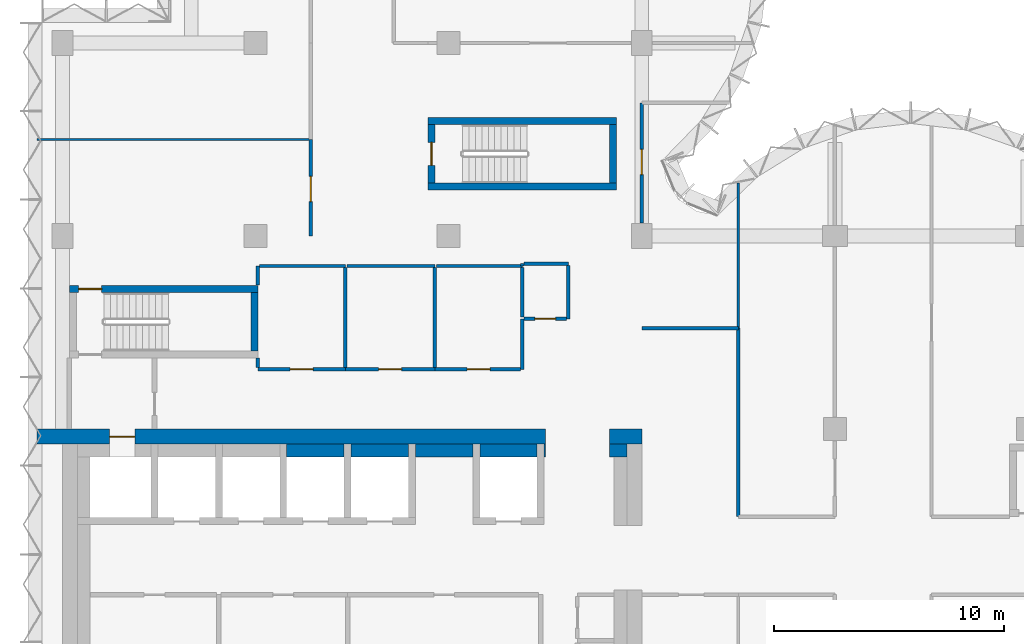
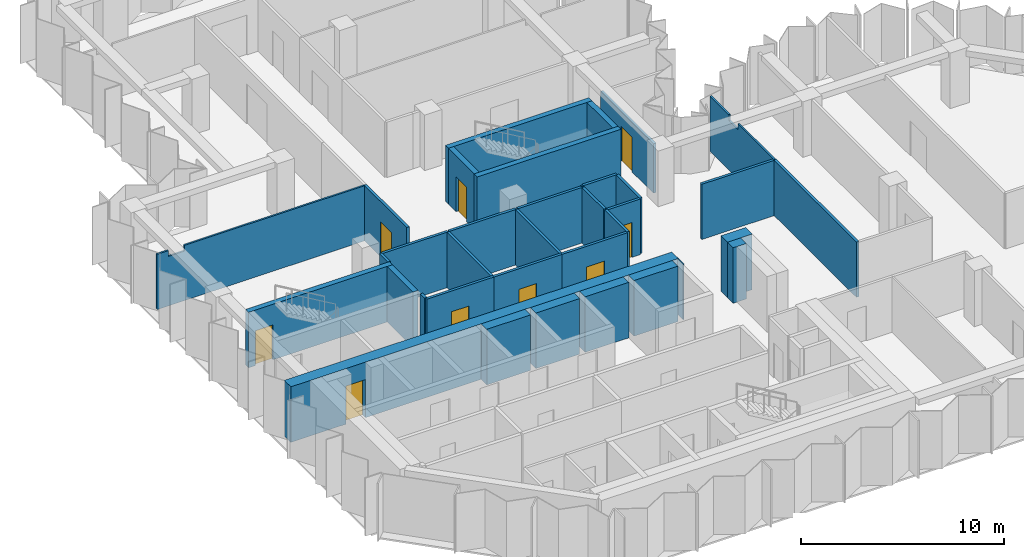
# One storey, part 6 of 10: 36 walls, 9 doors, 9 openings.
"""IFC4 building model written with IfcOpenShell, lengths in metres."""

from ifc_helpers import new_model, si_unit, direction, frame, frame_2d, origin, place, context, subcontext, project, spatial, polyline, rectangle, outline, extrude, material, layer, layer_set, type_object, element, fill, save


model = new_model("IFC4")

# Units and contexts
model_context = context("Model", 3, precision=1e-05, world=origin(), true_north=direction((0.0, 1.0)))
body_context = subcontext(model_context, "Body", "Model", "MODEL_VIEW")
ifc_project = project(units=[si_unit("LENGTHUNIT", "METRE"), si_unit("AREAUNIT", "SQUARE_METRE"), si_unit("VOLUMEUNIT", "CUBIC_METRE"), si_unit("PLANEANGLEUNIT", "RADIAN"), si_unit("MASSUNIT", "GRAM", prefix="KILO")], contexts=[model_context])

# Site, building, storey
site_placement = place(None, origin())
site = spatial("IfcSite", under=ifc_project, at=site_placement, CompositionType="ELEMENT")
building_placement = place(site_placement, origin())
building = spatial("IfcBuilding", under=site, at=building_placement, Name="Brevane Broadcast Tower", CompositionType="ELEMENT")
storey_placement = place(building_placement, frame((0.0, 0.0, 195.60009765625)))
storey = spatial("IfcBuildingStorey", under=building, at=storey_placement, Name="L49", CompositionType="ELEMENT", Elevation=195.60009765625)

# Walls
ifc_material_1 = material(Name="Concrete C32/40", Category="concrete")
ifc_layer_1 = layer(ifc_material_1, 0.550048828125)
ifc_layer_set_1 = layer_set([ifc_layer_1], Name="Core chase wall 550 mm")
wall_type_1 = type_object("IfcWallType", Name="Core chase wall 550 mm", PredefinedType="PARTITIONING", material=ifc_layer_set_1)
wall_1_placement = place(storey_placement, frame((23.800048828125, 15.875, 0.0), z_axis=(0.0, 0.0, 1.0), x_axis=(1.0, 0.0, 0.0)))
element("IfcWall", 1, at=wall_1_placement, inside=storey, type_object=wall_type_1, Name="L49 chase wall LN2", PredefinedType="PARTITIONING", context=body_context, shape_type="SweptSolid", body=[
    extrude(rectangle(XDim=0.75, YDim=0.550048828125, at=frame_2d((0.375, 0.0))), origin(), (0.0, 0.0, 1.0), 3.349853515625),
])
for number, where, z_axis, x_axis, name in (
    (2, (9.75, 15.875, 0.0), (0.0, 0.0, 1.0), (1.0, 0.0, 0.0), "L49 chase wall LN1-2-2-2-1"),
    (3, (12.550048828125, 15.875, 0.0), (0.0, 0.0, 1.0), (1.0, 0.0, 0.0), "L49 chase wall LN1-2-2-2-2-1"),
    (4, (15.35009765625, 15.875, 0.0), (0.0, 0.0, 1.0), (1.0, 0.0, 0.0), "L49 chase wall LN1-2-2-2-2-2-1"),
    (5, (18.14990234375, 15.875, 0.0), (0.0, 0.0, 1.0), (1.0, 0.0, 0.0), "L49 chase wall LN1-2-2-2-2-2-2-1"),
):
    element("IfcWall", number, at=place(storey_placement, frame(where, z_axis=z_axis, x_axis=x_axis)), inside=storey, type_object=wall_type_1, Name=name, PredefinedType="PARTITIONING", context=body_context, shape_type="SweptSolid", body=[
        extrude(rectangle(XDim=2.5, YDim=0.550048828125, at=frame_2d((1.25, 0.0))), origin(), (0.0, 0.0, 1.0), 3.349853515625),
    ])
wall_2_placement = place(storey_placement, frame((20.949951171875, 15.875, 0.0), z_axis=(0.0, 0.0, 1.0), x_axis=(1.0, 0.0, 0.0)))
element("IfcWall", 6, at=wall_2_placement, inside=storey, type_object=wall_type_1, Name="L49 chase wall LN1-2-2-2-2-2-2-2", PredefinedType="PARTITIONING", context=body_context, shape_type="SweptSolid", body=[
    extrude(rectangle(XDim=0.050048828125, YDim=0.550048828125, at=frame_2d((0.02490234375, 0.0))), origin(), (0.0, 0.0, 1.0), 3.349853515625),
])

# Wall, opening, door
ifc_material_2 = material(Name="Gypsum board on steel studs", Category="steel")
ifc_layer_2 = layer(ifc_material_2, 0.14990234375)
ifc_layer_set_2 = layer_set([ifc_layer_2], Name="Core fire partition 150 mm")
wall_type_2 = type_object("IfcWallType", Name="Core fire partition 150 mm", PredefinedType="PARTITIONING", material=ifc_layer_set_2)
wall_3_placement = place(storey_placement, frame((12.300048828125, 19.39990234375, 0.0), z_axis=(0.0, 0.0, 1.0), x_axis=(-1.0, 0.0, 0.0)))
wall_3 = element("IfcWall", 7, at=wall_3_placement, inside=storey, type_object=wall_type_2, Name="L49 partition wall P22", PredefinedType="PARTITIONING", context=body_context, shape_type="SweptSolid", body=[
    extrude(rectangle(XDim=3.800048828125, YDim=0.14990234375, at=frame_2d((1.89990234375, 0.0))), origin(), (0.0, 0.0, 1.0), 3.349853515625),
])
opening_1_placement = place(wall_3_placement, frame((1.39990234375, 0.0, 0.0)))
opening_1 = element("IfcOpeningElement", 8, at=opening_1_placement, cuts=wall_3, Name="Opening L49-K24", PredefinedType="OPENING", context=body_context, shape_type="SweptSolid", body=[
    extrude(rectangle(XDim=1.0, YDim=2.10009765625, at=frame_2d((0.5, 1.050048828125))), frame((0.0, 0.0849609375, 0.0), z_axis=(0.0, -1.0, 0.0), x_axis=(1.0, 0.0, 0.0)), (0.0, 0.0, 1.0), 0.169921875),
])
ifc_material_3 = material(Name="Steel", Category="steel")
door_type_1 = type_object("IfcDoorType", Name="Service room door 1000 x 2100", OperationType="SINGLE_SWING_LEFT", PredefinedType="DOOR", material=ifc_material_3)
door_1_placement = place(opening_1_placement, origin())
door_1 = element("IfcDoor", 9, at=door_1_placement, inside=storey, type_object=door_type_1, Name="Door L49-K24", OperationType="SINGLE_SWING_RIGHT", OverallHeight=2.10009765625, OverallWidth=1.0, PredefinedType="DOOR", context=body_context, shape_type="SweptSolid", body=[
    extrude(rectangle(XDim=1.0, YDim=2.10009765625, at=frame_2d((0.5, 1.050048828125))), frame((0.0, 0.02490234375, 0.0), z_axis=(0.0, -1.0, 0.0), x_axis=(1.0, 0.0, 0.0)), (0.0, 0.0, 1.0), 0.050048828125),
])
fill(opening_1, door_1)

# Walls
wall_4_placement = place(storey_placement, frame((8.5, 19.47509765625, 0.0), z_axis=(0.0, 0.0, 1.0), x_axis=(0.0, 1.0, 0.0)))
element("IfcWall", 10, at=wall_4_placement, inside=storey, type_object=wall_type_2, Name="L49 partition wall P23", PredefinedType="PARTITIONING", context=body_context, shape_type="SweptSolid", body=[
    extrude(rectangle(XDim=0.412841796875, YDim=0.14990234375, at=frame_2d((0.20654296875, 0.0))), origin(), (0.0, 0.0, 1.0), 3.349853515625),
])
wall_5_placement = place(storey_placement, frame((8.5, 23.06201171875, 0.0), z_axis=(0.0, 0.0, 1.0), x_axis=(0.0, 1.0, 0.0)))
element("IfcWall", 11, at=wall_5_placement, inside=storey, type_object=wall_type_2, Name="L49 partition wall P24", PredefinedType="PARTITIONING", context=body_context, shape_type="SweptSolid", body=[
    extrude(rectangle(XDim=0.837890625, YDim=0.14990234375, at=frame_2d((0.4189453125, 0.0))), origin(), (0.0, 0.0, 1.0), 3.349853515625),
])
wall_6_placement = place(storey_placement, frame((8.574951171875, 23.89990234375, 0.0), z_axis=(0.0, 0.0, 1.0), x_axis=(1.0, 0.0, 0.0)))
element("IfcWall", 12, at=wall_6_placement, inside=storey, type_object=wall_type_2, Name="L49 partition wall P25", PredefinedType="PARTITIONING", context=body_context, shape_type="SweptSolid", body=[
    extrude(rectangle(XDim=3.72509765625, YDim=0.14990234375, at=frame_2d((1.862548828125, 0.0))), origin(), (0.0, 0.0, 1.0), 3.349853515625),
])

# Wall, opening, door
wall_7_placement = place(storey_placement, frame((16.199951171875, 19.39990234375, 0.0), z_axis=(0.0, 0.0, 1.0), x_axis=(-1.0, 0.0, 0.0)))
wall_7 = element("IfcWall", 13, at=wall_7_placement, inside=storey, type_object=wall_type_2, Name="L49 partition wall P26", PredefinedType="PARTITIONING", context=body_context, shape_type="SweptSolid", body=[
    extrude(rectangle(XDim=3.89990234375, YDim=0.14990234375, at=frame_2d((1.949951171875, 0.0))), origin(), (0.0, 0.0, 1.0), 3.349853515625),
])
opening_2_placement = place(wall_7_placement, frame((1.449951171875, 0.0, 0.0)))
opening_2 = element("IfcOpeningElement", 14, at=opening_2_placement, cuts=wall_7, Name="Opening L49-K25", PredefinedType="OPENING", context=body_context, shape_type="SweptSolid", body=[
    extrude(rectangle(XDim=1.0, YDim=2.10009765625, at=frame_2d((0.5, 1.050048828125))), frame((0.0, 0.0849609375, 0.0), z_axis=(0.0, -1.0, 0.0), x_axis=(1.0, 0.0, 0.0)), (0.0, 0.0, 1.0), 0.169921875),
])
door_2_placement = place(opening_2_placement, origin())
door_2 = element("IfcDoor", 15, at=door_2_placement, inside=storey, type_object=door_type_1, Name="Door L49-K25", OperationType="SINGLE_SWING_LEFT", OverallHeight=2.10009765625, OverallWidth=1.0, PredefinedType="DOOR", context=body_context, shape_type="SweptSolid", body=[
    extrude(rectangle(XDim=1.0, YDim=2.10009765625, at=frame_2d((0.5, 1.050048828125))), frame((0.0, 0.02490234375, 0.0), z_axis=(0.0, -1.0, 0.0), x_axis=(1.0, 0.0, 0.0)), (0.0, 0.0, 1.0), 0.050048828125),
])
fill(opening_2, door_2)

# Walls
wall_8_placement = place(storey_placement, frame((12.300048828125, 23.824951171875, 0.0), z_axis=(0.0, 0.0, 1.0), x_axis=(0.0, -1.0, 0.0)))
element("IfcWall", 16, at=wall_8_placement, inside=storey, type_object=wall_type_2, Name="L49 partition wall P27", PredefinedType="PARTITIONING", context=body_context, shape_type="SweptSolid", body=[
    extrude(rectangle(XDim=4.349853515625, YDim=0.14990234375, at=frame_2d((2.1748046875, 0.0))), origin(), (0.0, 0.0, 1.0), 3.349853515625),
])
wall_9_placement = place(storey_placement, frame((12.375, 23.89990234375, 0.0), z_axis=(0.0, 0.0, 1.0), x_axis=(1.0, 0.0, 0.0)))
element("IfcWall", 17, at=wall_9_placement, inside=storey, type_object=wall_type_2, Name="L49 partition wall P28", PredefinedType="PARTITIONING", context=body_context, shape_type="SweptSolid", body=[
    extrude(rectangle(XDim=3.824951171875, YDim=0.14990234375, at=frame_2d((1.91259765625, 0.0))), origin(), (0.0, 0.0, 1.0), 3.349853515625),
])
wall_10_placement = place(storey_placement, frame((20.0, 21.60009765625, 0.0), z_axis=(0.0, 0.0, 1.0), x_axis=(0.0, -1.0, 0.0)))
element("IfcWall", 18, at=wall_10_placement, inside=storey, type_object=wall_type_2, Name="L49 partition wall P29", PredefinedType="PARTITIONING", context=body_context, shape_type="SweptSolid", body=[
    extrude(rectangle(XDim=2.2001953125, YDim=0.14990234375, at=frame_2d((1.10009765625, 0.0))), origin(), (0.0, 0.0, 1.0), 3.349853515625),
])

# Wall, opening, door
wall_11_placement = place(storey_placement, frame((19.925048828125, 19.39990234375, 0.0), z_axis=(0.0, 0.0, 1.0), x_axis=(-1.0, 0.0, 0.0)))
wall_11 = element("IfcWall", 19, at=wall_11_placement, inside=storey, type_object=wall_type_2, Name="L49 partition wall P30", PredefinedType="PARTITIONING", context=body_context, shape_type="SweptSolid", body=[
    extrude(rectangle(XDim=3.72509765625, YDim=0.14990234375, at=frame_2d((1.862548828125, 0.0))), origin(), (0.0, 0.0, 1.0), 3.349853515625),
])
opening_3_placement = place(wall_11_placement, frame((1.324951171875, 0.0, 0.0)))
opening_3 = element("IfcOpeningElement", 20, at=opening_3_placement, cuts=wall_11, Name="Opening L49-K26", PredefinedType="OPENING", context=body_context, shape_type="SweptSolid", body=[
    extrude(rectangle(XDim=1.0, YDim=2.10009765625, at=frame_2d((0.5, 1.050048828125))), frame((0.0, 0.0849609375, 0.0), z_axis=(0.0, -1.0, 0.0), x_axis=(1.0, 0.0, 0.0)), (0.0, 0.0, 1.0), 0.169921875),
])
door_3_placement = place(opening_3_placement, origin())
door_3 = element("IfcDoor", 21, at=door_3_placement, inside=storey, type_object=door_type_1, Name="Door L49-K26", OperationType="SINGLE_SWING_RIGHT", OverallHeight=2.10009765625, OverallWidth=1.0, PredefinedType="DOOR", context=body_context, shape_type="SweptSolid", body=[
    extrude(rectangle(XDim=1.0, YDim=2.10009765625, at=frame_2d((0.5, 1.050048828125))), frame((0.0, 0.02490234375, 0.0), z_axis=(0.0, -1.0, 0.0), x_axis=(1.0, 0.0, 0.0)), (0.0, 0.0, 1.0), 0.050048828125),
])
fill(opening_3, door_3)

# Walls
wall_12_placement = place(storey_placement, frame((16.199951171875, 23.824951171875, 0.0), z_axis=(0.0, 0.0, 1.0), x_axis=(0.0, -1.0, 0.0)))
element("IfcWall", 22, at=wall_12_placement, inside=storey, type_object=wall_type_2, Name="L49 partition wall P31", PredefinedType="PARTITIONING", context=body_context, shape_type="SweptSolid", body=[
    extrude(rectangle(XDim=4.349853515625, YDim=0.14990234375, at=frame_2d((2.1748046875, 0.0))), origin(), (0.0, 0.0, 1.0), 3.349853515625),
])
wall_13_placement = place(storey_placement, frame((16.27490234375, 23.89990234375, 0.0), z_axis=(0.0, 0.0, 1.0), x_axis=(1.0, 0.0, 0.0)))
element("IfcWall", 23, at=wall_13_placement, inside=storey, type_object=wall_type_2, Name="L49 partition wall P32", PredefinedType="PARTITIONING", context=body_context, shape_type="SweptSolid", body=[
    extrude(rectangle(XDim=3.72509765625, YDim=0.14990234375, at=frame_2d((1.862548828125, 0.0))), origin(), (0.0, 0.0, 1.0), 3.349853515625),
])
wall_14_placement = place(storey_placement, frame((20.0, 23.89990234375, 0.0), z_axis=(0.0, 0.0, 1.0), x_axis=(0.0, 1.0, 0.0)))
element("IfcWall", 24, at=wall_14_placement, inside=storey, type_object=wall_type_2, Name="L49 partition wall P33", PredefinedType="PARTITIONING", context=body_context, shape_type="SweptSolid", body=[
    extrude(rectangle(XDim=0.10009765625, YDim=0.14990234375, at=frame_2d((0.050048828125, 0.0))), origin(), (0.0, 0.0, 1.0), 3.349853515625),
])
wall_15_placement = place(storey_placement, frame((20.074951171875, 24.0, 0.0), z_axis=(0.0, 0.0, 1.0), x_axis=(1.0, 0.0, 0.0)))
element("IfcWall", 25, at=wall_15_placement, inside=storey, type_object=wall_type_2, Name="L49 partition wall P34", PredefinedType="PARTITIONING", context=body_context, shape_type="SweptSolid", body=[
    extrude(rectangle(XDim=1.925048828125, YDim=0.14990234375, at=frame_2d((0.96240234375, 0.0))), origin(), (0.0, 0.0, 1.0), 3.349853515625),
])
wall_16_placement = place(storey_placement, frame((22.0, 23.925048828125, 0.0), z_axis=(0.0, 0.0, 1.0), x_axis=(0.0, -1.0, 0.0)))
element("IfcWall", 26, at=wall_16_placement, inside=storey, type_object=wall_type_2, Name="L49 partition wall P35", PredefinedType="PARTITIONING", context=body_context, shape_type="SweptSolid", body=[
    extrude(rectangle(XDim=2.324951171875, YDim=0.14990234375, at=frame_2d((1.16259765625, 0.0))), origin(), (0.0, 0.0, 1.0), 3.349853515625),
])

# Wall, opening, door
wall_17_placement = place(storey_placement, frame((21.925048828125, 21.60009765625, 0.0), z_axis=(0.0, 0.0, 1.0), x_axis=(-1.0, 0.0, 0.0)))
wall_17 = element("IfcWall", 27, at=wall_17_placement, inside=storey, type_object=wall_type_2, Name="L49 partition wall P36", PredefinedType="PARTITIONING", context=body_context, shape_type="SweptSolid", body=[
    extrude(rectangle(XDim=1.85009765625, YDim=0.14990234375, at=frame_2d((0.925048828125, 0.0))), origin(), (0.0, 0.0, 1.0), 3.349853515625),
])
opening_4_placement = place(wall_17_placement, frame((0.47509765625, 0.0, 0.0)))
opening_4 = element("IfcOpeningElement", 28, at=opening_4_placement, cuts=wall_17, Name="Opening L49-K23", PredefinedType="OPENING", context=body_context, shape_type="SweptSolid", body=[
    extrude(rectangle(XDim=0.89990234375, YDim=2.10009765625, at=frame_2d((0.449951171875, 1.050048828125))), frame((0.0, 0.0849609375, 0.0), z_axis=(0.0, -1.0, 0.0), x_axis=(1.0, 0.0, 0.0)), (0.0, 0.0, 1.0), 0.169921875),
])
ifc_material_4 = material(Name="Timber", Category="wood")
door_type_2 = type_object("IfcDoorType", Name="Toilet door 900 x 2100", OperationType="SINGLE_SWING_LEFT", PredefinedType="DOOR", material=ifc_material_4)
door_4_placement = place(opening_4_placement, origin())
door_4 = element("IfcDoor", 29, at=door_4_placement, inside=storey, type_object=door_type_2, Name="Door L49-K23", OperationType="SINGLE_SWING_LEFT", OverallHeight=2.10009765625, OverallWidth=0.89990234375, PredefinedType="DOOR", context=body_context, shape_type="SweptSolid", body=[
    extrude(rectangle(XDim=0.89990234375, YDim=2.10009765625, at=frame_2d((0.449951171875, 1.050048828125))), frame((0.0, 0.02490234375, 0.0), z_axis=(0.0, -1.0, 0.0), x_axis=(1.0, 0.0, 0.0)), (0.0, 0.0, 1.0), 0.050048828125),
])
fill(opening_4, door_4)

# Wall
wall_18_placement = place(storey_placement, frame((20.0, 21.675048828125, 0.0), z_axis=(0.0, 0.0, 1.0), x_axis=(0.0, 1.0, 0.0)))
element("IfcWall", 30, at=wall_18_placement, inside=storey, type_object=wall_type_2, Name="L49 partition wall P37", PredefinedType="PARTITIONING", context=body_context, shape_type="SweptSolid", body=[
    extrude(rectangle(XDim=2.14990234375, YDim=0.14990234375, at=frame_2d((1.074951171875, 0.0))), origin(), (0.0, 0.0, 1.0), 3.349853515625),
])

# Wall, opening, door
ifc_material_5 = material(Name="Concrete C60/75", Category="concrete")
ifc_layer_3 = layer(ifc_material_5, 0.300048828125)
ifc_layer_set_3 = layer_set([ifc_layer_3], Name="Core wall 300 mm C60/75")
wall_type_3 = type_object("IfcWallType", Name="Core wall 300 mm C60/75", PredefinedType="SHEAR", material=ifc_layer_set_3)
wall_19_placement = place(storey_placement, frame((0.300048828125, 22.89990234375, 0.0), z_axis=(0.0, 0.0, 1.0), x_axis=(1.0, 0.0, 0.0)))
wall_19 = element("IfcWall", 31, at=wall_19_placement, inside=storey, type_object=wall_type_3, Name="L49 stair wall ST-1-N", PredefinedType="SHEAR", context=body_context, shape_type="SweptSolid", body=[
    extrude(rectangle(XDim=8.199951171875, YDim=0.300048828125, at=frame_2d((4.10009765625, 0.0))), origin(), (0.0, 0.0, 1.0), 3.349853515625),
])
opening_5_placement = place(wall_19_placement, frame((0.39990234375, 0.0, 0.0)))
opening_5 = element("IfcOpeningElement", 32, at=opening_5_placement, cuts=wall_19, Name="Opening L49-K09", PredefinedType="OPENING", context=body_context, shape_type="SweptSolid", body=[
    extrude(rectangle(XDim=1.0, YDim=2.10009765625, at=frame_2d((0.5, 1.050048828125))), frame((0.0, 0.159912109375, 0.0), z_axis=(0.0, -1.0, 0.0), x_axis=(1.0, 0.0, 0.0)), (0.0, 0.0, 1.0), 0.320068359375),
])
door_type_3 = type_object("IfcDoorType", Name="Stair door 1000 x 2100", OperationType="SINGLE_SWING_LEFT", PredefinedType="DOOR", material=ifc_material_3)
door_5_placement = place(opening_5_placement, origin())
door_5 = element("IfcDoor", 33, at=door_5_placement, inside=storey, type_object=door_type_3, Name="Door L49-K09", OperationType="SINGLE_SWING_LEFT", OverallHeight=2.10009765625, OverallWidth=1.0, PredefinedType="DOOR", context=body_context, shape_type="SweptSolid", body=[
    extrude(rectangle(XDim=1.0, YDim=2.10009765625, at=frame_2d((0.5, 1.050048828125))), frame((0.0, 0.02490234375, 0.0), z_axis=(0.0, -1.0, 0.0), x_axis=(1.0, 0.0, 0.0)), (0.0, 0.0, 1.0), 0.050048828125),
])
fill(opening_5, door_5)

# Walls
wall_20_placement = place(storey_placement, frame((8.35009765625, 20.199951171875, 0.0), z_axis=(0.0, 0.0, 1.0), x_axis=(0.0, 1.0, 0.0)))
element("IfcWall", 34, at=wall_20_placement, inside=storey, type_object=wall_type_3, Name="L49 stair wall ST-1-E", PredefinedType="SHEAR", context=body_context, shape_type="SweptSolid", body=[
    extrude(rectangle(XDim=2.550048828125, YDim=0.300048828125, at=frame_2d((1.27490234375, 0.0))), origin(), (0.0, 0.0, 1.0), 3.349853515625),
])
for number, where, z_axis, x_axis, name in (
    (35, (15.89990234375, 27.35009765625, 0.0), (0.0, 0.0, 1.0), (1.0, 0.0, 0.0), "L49 stair wall ST-3-S"),
    (36, (15.89990234375, 30.199951171875, 0.0), (0.0, 0.0, 1.0), (1.0, 0.0, 0.0), "L49 stair wall ST-3-N"),
):
    element("IfcWall", number, at=place(storey_placement, frame(where, z_axis=z_axis, x_axis=x_axis)), inside=storey, type_object=wall_type_3, Name=name, PredefinedType="SHEAR", context=body_context, shape_type="SweptSolid", body=[
        extrude(rectangle(XDim=8.2001953125, YDim=0.300048828125, at=frame_2d((4.10009765625, 0.0))), origin(), (0.0, 0.0, 1.0), 3.349853515625),
    ])

# Wall, opening, door
wall_21_placement = place(storey_placement, frame((16.050048828125, 27.5, 0.0), z_axis=(0.0, 0.0, 1.0), x_axis=(0.0, 1.0, 0.0)))
wall_21 = element("IfcWall", 37, at=wall_21_placement, inside=storey, type_object=wall_type_3, Name="L49 stair wall ST-3-W", PredefinedType="SHEAR", context=body_context, shape_type="SweptSolid", body=[
    extrude(rectangle(XDim=2.550048828125, YDim=0.300048828125, at=frame_2d((1.27490234375, 0.0))), origin(), (0.0, 0.0, 1.0), 3.349853515625),
])
opening_6_placement = place(wall_21_placement, frame((0.77490234375, 0.0, 0.0)))
opening_6 = element("IfcOpeningElement", 38, at=opening_6_placement, cuts=wall_21, Name="Opening L49-K12", PredefinedType="OPENING", context=body_context, shape_type="SweptSolid", body=[
    extrude(rectangle(XDim=1.0, YDim=2.10009765625, at=frame_2d((0.5, 1.050048828125))), frame((0.0, 0.159912109375, 0.0), z_axis=(0.0, -1.0, 0.0), x_axis=(1.0, 0.0, 0.0)), (0.0, 0.0, 1.0), 0.320068359375),
])
door_6_placement = place(opening_6_placement, origin())
door_6 = element("IfcDoor", 39, at=door_6_placement, inside=storey, type_object=door_type_3, Name="Door L49-K12", OperationType="SINGLE_SWING_RIGHT", OverallHeight=2.10009765625, OverallWidth=1.0, PredefinedType="DOOR", context=body_context, shape_type="SweptSolid", body=[
    extrude(rectangle(XDim=1.0, YDim=2.10009765625, at=frame_2d((0.5, 1.050048828125))), frame((0.0, 0.02490234375, 0.0), z_axis=(0.0, -1.0, 0.0), x_axis=(1.0, 0.0, 0.0)), (0.0, 0.0, 1.0), 0.050048828125),
])
fill(opening_6, door_6)

# Wall
wall_22_placement = place(storey_placement, frame((23.949951171875, 27.5, 0.0), z_axis=(0.0, 0.0, 1.0), x_axis=(0.0, 1.0, 0.0)))
element("IfcWall", 40, at=wall_22_placement, inside=storey, type_object=wall_type_3, Name="L49 stair wall ST-3-E", PredefinedType="SHEAR", context=body_context, shape_type="SweptSolid", body=[
    extrude(rectangle(XDim=2.550048828125, YDim=0.300048828125, at=frame_2d((1.27490234375, 0.0))), origin(), (0.0, 0.0, 1.0), 3.349853515625),
])

# Wall, opening, door
ifc_layer_4 = layer(ifc_material_5, 0.64990234375)
ifc_layer_set_4 = layer_set([ifc_layer_4], Name="Core wall 650 mm C60/75")
wall_type_4 = type_object("IfcWallType", Name="Core wall 650 mm C60/75", PredefinedType="SHEAR", material=ifc_layer_set_4)
wall_23_placement = place(storey_placement, frame((-1.10009765625, 16.47509765625, 0.0), z_axis=(0.0, 0.0, 1.0), x_axis=(1.0, 0.0, 0.0)))
wall_23 = element("IfcWall", 41, at=wall_23_placement, inside=storey, type_object=wall_type_4, Name="L49 outer wall WN1", PredefinedType="SHEAR", context=body_context, shape_type="SweptSolid", body=[
    extrude(rectangle(XDim=22.10009765625, YDim=0.64990234375, at=frame_2d((11.050048828125, 0.0))), origin(), (0.0, 0.0, 1.0), 3.349853515625),
])
opening_7_placement = place(wall_23_placement, frame((3.14990234375, 0.0, 0.0)))
opening_7 = element("IfcOpeningElement", 42, at=opening_7_placement, cuts=wall_23, Name="Opening LD", PredefinedType="OPENING", context=body_context, shape_type="SweptSolid", body=[
    extrude(rectangle(XDim=1.10009765625, YDim=2.300048828125, at=frame_2d((0.550048828125, 1.14990234375))), frame((0.0, 0.3349609375, 0.0), z_axis=(0.0, -1.0, 0.0), x_axis=(1.0, 0.0, 0.0)), (0.0, 0.0, 1.0), 0.669921875),
])
ifc_material_6 = material(Name="Stainless steel", Category="steel")
door_type_4 = type_object("IfcDoorType", Name="Lift landing door", OperationType="SLIDING_TO_LEFT", PredefinedType="DOOR", material=ifc_material_6)
door_7_placement = place(opening_7_placement, origin())
door_7 = element("IfcDoor", 43, at=door_7_placement, inside=storey, type_object=door_type_4, Name="Landing door FF1 L49", OperationType="SLIDING_TO_LEFT", OverallHeight=2.300048828125, OverallWidth=1.10009765625, PredefinedType="DOOR", context=body_context, shape_type="SweptSolid", body=[
    extrude(rectangle(XDim=1.10009765625, YDim=2.300048828125, at=frame_2d((0.550048828125, 1.14990234375))), frame((0.0, 0.02490234375, 0.0), z_axis=(0.0, -1.0, 0.0), x_axis=(1.0, 0.0, 0.0)), (0.0, 0.0, 1.0), 0.050048828125),
])
fill(opening_7, door_7)

# Walls
wall_24_placement = place(storey_placement, frame((23.800048828125, 16.47509765625, 0.0), z_axis=(0.0, 0.0, 1.0), x_axis=(1.0, 0.0, 0.0)))
element("IfcWall", 44, at=wall_24_placement, inside=storey, type_object=wall_type_4, Name="L49 outer wall WN2", PredefinedType="SHEAR", context=body_context, shape_type="SweptSolid", body=[
    extrude(rectangle(XDim=1.39990234375, YDim=0.64990234375, at=frame_2d((0.699951171875, 0.0))), origin(), (0.0, 0.0, 1.0), 3.349853515625),
])
ifc_material_7 = material(Name="Gypsum board partition")
ifc_layer_5 = layer(ifc_material_7, 0.10009765625)
ifc_layer_set_5 = layer_set([ifc_layer_5], Name="PARTITION 100 STUD")
wall_type_5 = type_object("IfcWallType", Name="PARTITION 100 STUD", PredefinedType="PARTITIONING", material=ifc_layer_set_5)
wall_25_placement = place(storey_placement, frame((29.39990234375, 27.510986328125, 0.0), z_axis=(0.0, 0.0, 1.0), x_axis=(0.0, -1.0, 0.0)))
element("IfcWall", 45, at=wall_25_placement, inside=storey, type_object=wall_type_5, Name="Partition G15-004", PredefinedType="PARTITIONING", context=body_context, shape_type="SweptSolid", body=[
    extrude(outline(polyline([(0.0, 0.0), (6.31103515625, 0.0), (6.31103515625, 3.329833984375), (2.760986328125, 3.329833984375), (2.759033203125, 2.97998046875), (1.863037109375, 2.97998046875), (1.861083984375, 3.329833984375), (0.236083984375, 3.329833984375), (0.0, 3.329833984375), (0.0, 0.0)])), frame((0.0, 0.050048828125, 0.0), z_axis=(0.0, -1.0, 0.0), x_axis=(1.0, 0.0, 0.0)), (0.0, 0.0, 1.0), 0.10009765625),
])
wall_26_placement = place(storey_placement, frame((-1.10009765625, 29.39990234375, 0.0), z_axis=(0.0, 0.0, 1.0), x_axis=(1.0, 0.0, 0.0)))
element("IfcWall", 46, at=wall_26_placement, inside=storey, type_object=wall_type_5, Name="Partition G15-040", PredefinedType="PARTITIONING", context=body_context, shape_type="SweptSolid", body=[
    extrude(outline(polyline([(0.0, 0.0), (11.900146484375, 0.0), (11.89990234375, 3.329833984375), (1.550048828125, 3.329833984375), (1.548095703125, 2.97998046875), (0.652099609375, 2.97998046875), (0.64990234375, 3.329833984375), (0.0, 3.329833984375), (0.0, 0.0)])), frame((0.0, 0.050048828125, 0.0), z_axis=(0.0, -1.0, 0.0), x_axis=(1.0, 0.0, 0.0)), (0.0, 0.0, 1.0), 0.10009765625),
])
ifc_layer_6 = layer(ifc_material_7, 0.14990234375)
ifc_layer_set_6 = layer_set([ifc_layer_6], Name="PARTITION 150 EI 60")
wall_type_6 = type_object("IfcWallType", Name="PARTITION 150 EI 60", PredefinedType="PARTITIONING", material=ifc_layer_set_6)
wall_27_placement = place(storey_placement, frame((25.199951171875, 21.199951171875, 0.0), z_axis=(0.0, 0.0, 1.0), x_axis=(1.0, 0.0, 0.0)))
element("IfcWall", 47, at=wall_27_placement, inside=storey, type_object=wall_type_6, Name="Partition G15-001", PredefinedType="PARTITIONING", context=body_context, shape_type="SweptSolid", body=[
    extrude(rectangle(XDim=4.199951171875, YDim=0.14990234375, at=frame_2d((2.10009765625, 0.0))), origin(), (0.0, 0.0, 1.0), 3.329833984375),
])
wall_28_placement = place(storey_placement, frame((29.39990234375, 21.199951171875, 0.0), z_axis=(0.0, 0.0, 1.0), x_axis=(0.0, -1.0, 0.0)))
element("IfcWall", 48, at=wall_28_placement, inside=storey, type_object=wall_type_6, Name="Partition G15-003", PredefinedType="PARTITIONING", context=body_context, shape_type="SweptSolid", body=[
    extrude(rectangle(XDim=8.199951171875, YDim=0.14990234375, at=frame_2d((4.10009765625, 0.0))), origin(), (0.0, 0.0, 1.0), 3.329833984375),
])

# Wall, opening, door
wall_29_placement = place(storey_placement, frame((25.199951171875, 31.0, 0.0), z_axis=(0.0, 0.0, 1.0), x_axis=(0.0, -1.0, 0.0)))
wall_29 = element("IfcWall", 49, at=wall_29_placement, inside=storey, type_object=wall_type_6, Name="Partition G15-005", PredefinedType="PARTITIONING", context=body_context, shape_type="SweptSolid", body=[
    extrude(outline(polyline([(0.0, 0.0), (5.22998046875, 0.0), (5.22998046875, 2.97998046875), (0.0, 2.97998046875), (0.0, 0.0)])), frame((0.0, 0.074951171875, 0.0), z_axis=(0.0, -1.0, 0.0), x_axis=(1.0, 0.0, 0.0)), (0.0, 0.0, 1.0), 0.14990234375),
])
opening_8_placement = place(wall_29_placement, frame((2.030029296875, 0.0, 0.0)))
opening_8 = element("IfcOpeningElement", 50, at=opening_8_placement, cuts=wall_29, Name="Opening D24-001", PredefinedType="OPENING", context=body_context, shape_type="SweptSolid", body=[
    extrude(rectangle(XDim=1.10009765625, YDim=2.10009765625, at=frame_2d((0.550048828125, 1.050048828125))), frame((0.0, 0.0849609375, 0.0), z_axis=(0.0, -1.0, 0.0), x_axis=(1.0, 0.0, 0.0)), (0.0, 0.0, 1.0), 0.169921875),
])
ifc_material_8 = material(Name="Fire-rated timber door leaf", Category="wood")
door_type_5 = type_object("IfcDoorType", Name="DOOR SINGLE 1100 FD30S", OperationType="SINGLE_SWING_LEFT", PredefinedType="DOOR", material=ifc_material_8)
door_8_placement = place(opening_8_placement, origin())
door_8 = element("IfcDoor", 51, at=door_8_placement, inside=storey, type_object=door_type_5, Name="Door D24-001", OperationType="SINGLE_SWING_RIGHT", OverallHeight=2.10009765625, OverallWidth=1.10009765625, PredefinedType="DOOR", context=body_context, shape_type="SweptSolid", body=[
    extrude(rectangle(XDim=1.10009765625, YDim=2.10009765625, at=frame_2d((0.550048828125, 1.050048828125))), frame((0.0, 0.02490234375, 0.0), z_axis=(0.0, -1.0, 0.0), x_axis=(1.0, 0.0, 0.0)), (0.0, 0.0, 1.0), 0.050048828125),
])
fill(opening_8, door_8)

wall_30_placement = place(storey_placement, frame((10.800048828125, 25.199951171875, 0.0), z_axis=(0.0, 0.0, 1.0), x_axis=(0.0, 1.0, 0.0)))
wall_30 = element("IfcWall", 52, at=wall_30_placement, inside=storey, type_object=wall_type_6, Name="Partition G15-027", PredefinedType="PARTITIONING", context=body_context, shape_type="SweptSolid", body=[
    extrude(rectangle(XDim=4.199951171875, YDim=0.14990234375, at=frame_2d((2.10009765625, 0.0))), origin(), (0.0, 0.0, 1.0), 3.329833984375),
])
opening_9_placement = place(wall_30_placement, frame((1.5, 0.0, 0.0)))
opening_9 = element("IfcOpeningElement", 53, at=opening_9_placement, cuts=wall_30, Name="Opening D24-010", PredefinedType="OPENING", context=body_context, shape_type="SweptSolid", body=[
    extrude(rectangle(XDim=1.10009765625, YDim=2.10009765625, at=frame_2d((0.550048828125, 1.050048828125))), frame((0.0, 0.0849609375, 0.0), z_axis=(0.0, -1.0, 0.0), x_axis=(1.0, 0.0, 0.0)), (0.0, 0.0, 1.0), 0.169921875),
])
door_9_placement = place(opening_9_placement, origin())
door_9 = element("IfcDoor", 54, at=door_9_placement, inside=storey, type_object=door_type_5, Name="Door D24-010", OperationType="SINGLE_SWING_LEFT", OverallHeight=2.10009765625, OverallWidth=1.10009765625, PredefinedType="DOOR", context=body_context, shape_type="SweptSolid", body=[
    extrude(rectangle(XDim=1.10009765625, YDim=2.10009765625, at=frame_2d((0.550048828125, 1.050048828125))), frame((0.0, 0.02490234375, 0.0), z_axis=(0.0, -1.0, 0.0), x_axis=(1.0, 0.0, 0.0)), (0.0, 0.0, 1.0), 0.050048828125),
])
fill(opening_9, door_9)

save(model, "model.ifc")
